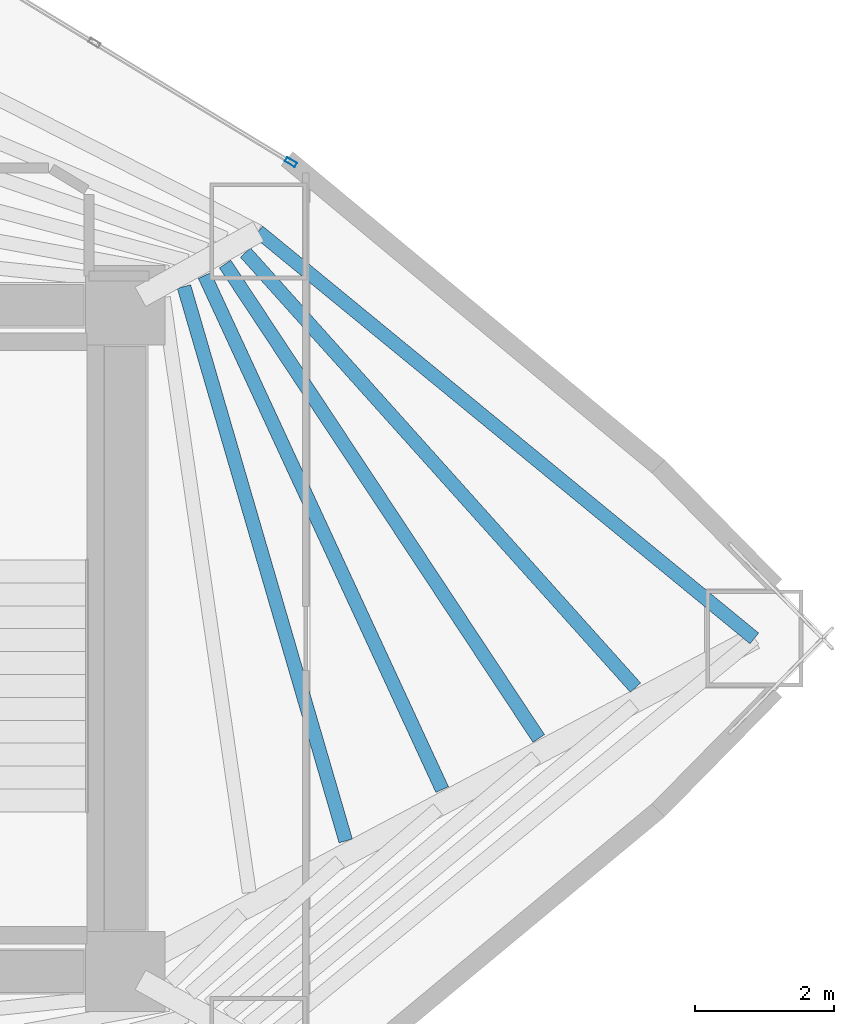
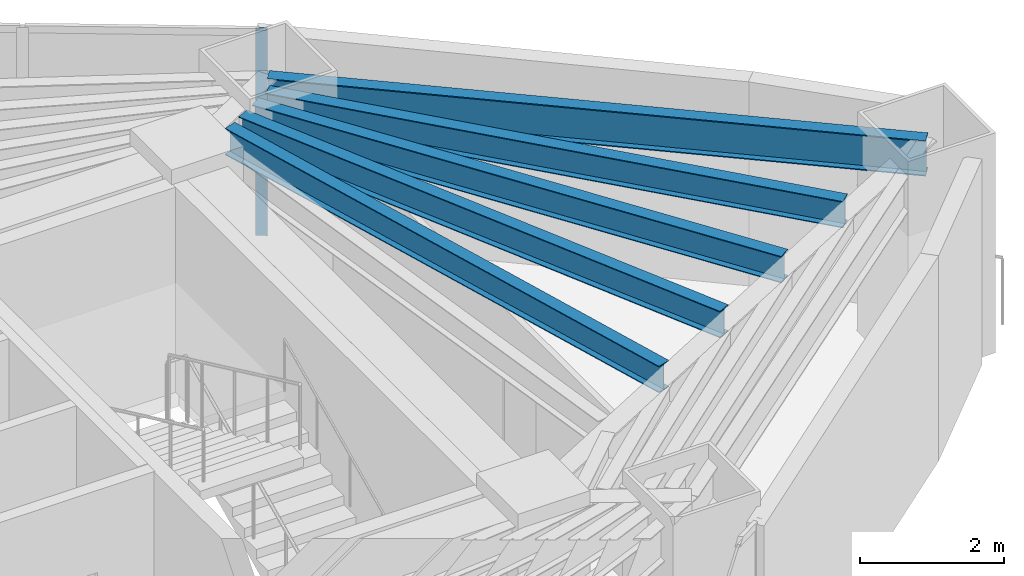
# One storey, part 11 of 17: 5 beams, 1 member, 1 element without a shape of its own.
"""IFC4 building model written with IfcOpenShell, lengths in metres."""

from ifc_helpers import new_model, si_unit, direction, frame, origin, origin_2d, place, context, subcontext, project, spatial, hollow_rectangle, i_section, extrude, material, layer, layer_set, material_profile, profile_set, type_object, element, aggregate, save


model = new_model("IFC4")

# Units and contexts
model_context = context("Model", 3, precision=1e-05, world=origin(), true_north=direction((0.0, 1.0)))
body_context = subcontext(model_context, "Body", "Model", "MODEL_VIEW")
ifc_project = project(units=[si_unit("LENGTHUNIT", "METRE"), si_unit("AREAUNIT", "SQUARE_METRE"), si_unit("VOLUMEUNIT", "CUBIC_METRE"), si_unit("PLANEANGLEUNIT", "RADIAN"), si_unit("MASSUNIT", "GRAM", prefix="KILO")], contexts=[model_context])

# Site, building, storey
site_placement = place(None, origin())
site = spatial("IfcSite", under=ifc_project, at=site_placement, CompositionType="ELEMENT")
building_placement = place(site_placement, origin())
building = spatial("IfcBuilding", under=site, at=building_placement, Name="Menara Vayukalpa", CompositionType="ELEMENT")
storey_placement = place(building_placement, frame((0.0, 0.0, 46.199951171875)))
storey = spatial("IfcBuildingStorey", under=building, at=storey_placement, Name="L10", CompositionType="ELEMENT", Elevation=46.199951171875)

# Beams
ifc_material_1 = material(Name="Steel S355", Category="steel")
ifc_material_profile_1 = material_profile(ifc_material_1, i_section(OverallWidth=0.199951171875, OverallDepth=0.449951171875, WebThickness=0.009033203125, FlangeThickness=0.013916015625, at=origin_2d()), Name="WF 450x200x9x14")
ifc_profile_set_1 = profile_set([ifc_material_profile_1], Name="Steel S355")
beam_type_1 = type_object("IfcBeamType", Name="BM-SJ1", PredefinedType="JOIST", material=ifc_profile_set_1)
beam_1_placement = place(storey_placement, frame((36.577392578125, 19.08203125, 3.2451171875), z_axis=(-0.280127331343, 0.959962852528, 0.0), x_axis=(-0.959962852528, -0.280127331343, 0.0)))
element("IfcBeam", 1, at=beam_1_placement, inside=storey, type_object=beam_type_1, Name="L10 Secondary Floor Joist SJ01-2", PredefinedType="JOIST", context=body_context, shape_type="SweptSolid", body=[
    extrude(i_section(OverallWidth=0.199951171875, OverallDepth=0.449951171875, WebThickness=0.009033203125, FlangeThickness=0.013916015625, at=origin_2d()), origin(), (0.0, 0.0, 1.0), 8.319580078125),
])
beam_2_placement = place(storey_placement, frame((37.96728515625, 19.822021484375, 3.2451171875), z_axis=(-0.419547647921, 0.907733314979, 0.0), x_axis=(-0.907733314979, -0.419547647921, 0.0)))
element("IfcBeam", 2, at=beam_2_placement, inside=storey, type_object=beam_type_1, Name="L10 Secondary Floor Joist SJ01-3", PredefinedType="JOIST", context=body_context, shape_type="SweptSolid", body=[
    extrude(i_section(OverallWidth=0.199951171875, OverallDepth=0.449951171875, WebThickness=0.009033203125, FlangeThickness=0.013916015625, at=origin_2d()), origin(), (0.0, 0.0, 1.0), 8.15966796875),
])
beam_3_placement = place(storey_placement, frame((39.358642578125, 20.557861328125, 3.2451171875), z_axis=(-0.551519467329, 0.834162020927, 0.0), x_axis=(-0.834162020927, -0.551519467329, 0.0)))
element("IfcBeam", 3, at=beam_3_placement, inside=storey, type_object=beam_type_1, Name="L10 Secondary Floor Joist SJ01-4", PredefinedType="JOIST", context=body_context, shape_type="SweptSolid", body=[
    extrude(i_section(OverallWidth=0.199951171875, OverallDepth=0.449951171875, WebThickness=0.009033203125, FlangeThickness=0.013916015625, at=origin_2d()), origin(), (0.0, 0.0, 1.0), 8.19384765625),
])
beam_4_placement = place(storey_placement, frame((40.752685546875, 21.291015625, 3.2451171875), z_axis=(-0.667563308959, 0.744553039435, 0.0), x_axis=(-0.744553039435, -0.667563308959, 0.0)))
element("IfcBeam", 4, at=beam_4_placement, inside=storey, type_object=beam_type_1, Name="L10 Secondary Floor Joist SJ01-5", PredefinedType="JOIST", context=body_context, shape_type="SweptSolid", body=[
    extrude(i_section(OverallWidth=0.199951171875, OverallDepth=0.449951171875, WebThickness=0.009033203125, FlangeThickness=0.013916015625, at=origin_2d()), origin(), (0.0, 0.0, 1.0), 8.419189453125),
])
ifc_material_2 = material(Name="Steel S355", Category="steel")
ifc_material_profile_2 = material_profile(ifc_material_2, i_section(OverallWidth=0.199951171875, OverallDepth=0.60009765625, WebThickness=0.010986328125, FlangeThickness=0.01708984375, at=origin_2d()), Name="WF 600x200x11x17")
ifc_profile_set_2 = profile_set([ifc_material_profile_2], Name="Steel S355")
beam_type_2 = type_object("IfcBeamType", Name="BM-SP1", PredefinedType="SPANDREL", material=ifc_profile_set_2)
beam_5_placement = place(storey_placement, frame((42.46484375, 22.0, 3.170166015625), z_axis=(-0.773110561587, 0.63427128231, 0.0), x_axis=(-0.63427128231, -0.773110561587, 0.0)))
element("IfcBeam", 5, at=beam_5_placement, inside=storey, type_object=beam_type_2, Name="L10 Perimeter Spandrel Beam SP01", PredefinedType="SPANDREL", context=body_context, shape_type="SweptSolid", body=[
    extrude(i_section(OverallWidth=0.199951171875, OverallDepth=0.60009765625, WebThickness=0.010986328125, FlangeThickness=0.01708984375, at=origin_2d()), origin(), (0.0, 0.0, 1.0), 9.244140625),
])

# Curtain wall, member
ifc_material_3 = material(Name="Anodised Terracotta Aluminium Alloy 6063-T6", Category="masonry")
ifc_layer = layer(ifc_material_3, 0.1650390625)
ifc_layer_set = layer_set([ifc_layer], Name="Anodised Terracotta Aluminium Alloy 6063-T6")
curtain_wall_type = type_object("IfcCurtainWallType", Name="CW-CW2", PredefinedType="USERDEFINED", material=ifc_layer_set)
curtain_wall_placement = place(storey_placement, origin())
curtain_wall = element("IfcCurtainWall", 6, at=curtain_wall_placement, inside=storey, type_object=curtain_wall_type, Name="L10 Low Rise Terracotta Ribbon Curtain Wall CW2 04", ObjectType="UNITISED", PredefinedType="USERDEFINED")
ifc_material_4 = material(Name="Anodised Terracotta Aluminium Alloy 6063-T6", Category="masonry")
ifc_material_profile_3 = material_profile(ifc_material_4, hollow_rectangle(XDim=0.070068359375, YDim=0.1650390625, WallThickness=0.00390625, at=origin_2d()), Name="ALU 70x165x4")
ifc_profile_set_3 = profile_set([ifc_material_profile_3], Name="Anodised Terracotta Aluminium Alloy 6063-T6")
member_type = type_object("IfcMemberType", Name="CWM-CW2", PredefinedType="MULLION", material=ifc_profile_set_3)
member_placement = place(storey_placement, frame((35.787353515625, 28.861572265625, 0.0), z_axis=(0.0, 0.0, 1.0), x_axis=(-0.519181964377, -0.854663727945, 0.0)))
member = element("IfcMember", 7, at=member_placement, type_object=member_type, Name="CW2 mullion 1", PredefinedType="MULLION", context=body_context, shape_type="SweptSolid", body=[
    extrude(hollow_rectangle(XDim=0.070068359375, YDim=0.1650390625, WallThickness=0.00390625, at=origin_2d()), origin(), (0.0, 0.0, 1.0), 3.469970703125),
])
aggregate(curtain_wall, [member])

save(model, "model.ifc")
